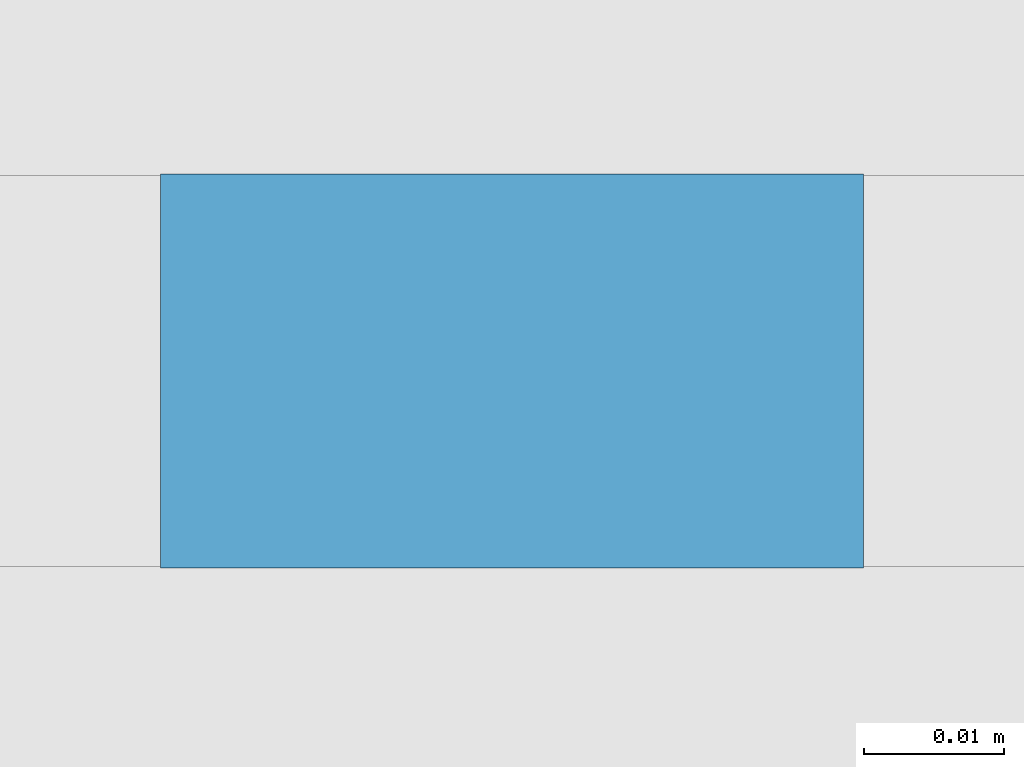
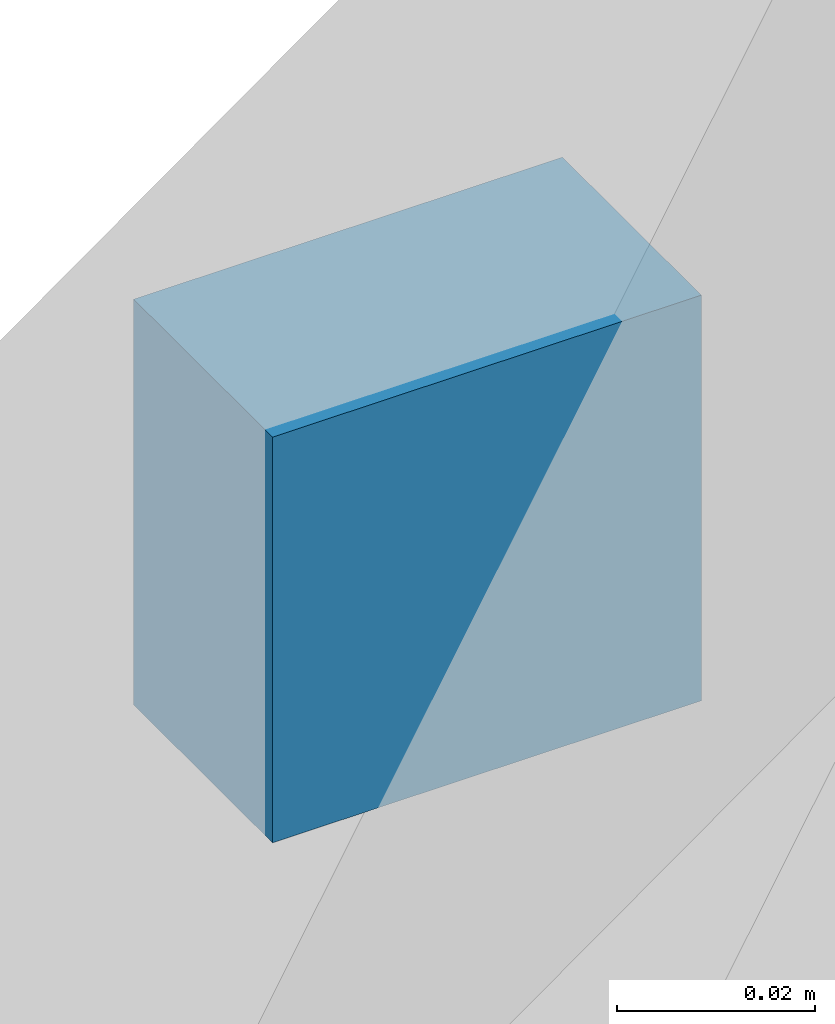
# One storey, part 13 of 15: 1 discrete accessory, 1 element without a shape of its own.
"""IFC4 building model written with IfcOpenShell, lengths in metres."""

import ifcopenshell
import ifcopenshell.guid

model = None  # the IFC model being written
_history = None  # IfcOwnerHistory: only IFC2X3 demands one
_inside = {}  # id of a spatial element -> (the spatial element, [elements in it])
_under = {}  # id of a project, library or spatial element -> (it, [spatial elements below it])
_declared = {}  # id of a project -> (the project, [libraries it declares])
_typed = {}  # id of a type object -> (the type object, [elements of that type])
_made_of = {}  # id of a material, layer set ... -> (it, [elements and type objects made of it])


def new_model(schema):
    """Start an empty IFC model of exactly this schema.

    Asked for "IFC4X3", IfcOpenShell would pick the latest addendum, in which some entities
    have other attributes; the version numbers below select the first issue.
    IFC2X3 requires an IfcOwnerHistory on every rooted entity: one is made here for all.
    """
    global model, _history
    if schema == "IFC4X3":
        model = ifcopenshell.file(schema_version=(4, 3, 0, 0))
    else:
        model = ifcopenshell.file(schema=schema)
    _inside.clear()
    _under.clear()
    _declared.clear()
    _typed.clear()
    _made_of.clear()
    _history = None
    if model.schema == "IFC2X3":
        org = make("IfcOrganization", Name="unknown")
        user = make(
            "IfcPersonAndOrganization",
            ThePerson=make("IfcPerson", FamilyName="unknown"),
            TheOrganization=org,
        )
        app = make(
            "IfcApplication",
            ApplicationDeveloper=org,
            Version="unknown",
            ApplicationFullName="unknown",
            ApplicationIdentifier="unknown",
        )
        _history = make(
            "IfcOwnerHistory",
            OwningUser=user,
            OwningApplication=app,
            ChangeAction="ADDED",
            CreationDate=0,
        )
    return model


def make(cls, **values):
    """One entity of the class cls with the attributes given. An attribute that is None is left unset."""
    return model.create_entity(
        cls, **{name: value for name, value in values.items() if value is not None}
    )


def rooted(cls, **values):
    """An entity with a GlobalId (a new one), such as an element, a storey or a relation."""
    return make(cls, GlobalId=ifcopenshell.guid.new(), OwnerHistory=_history, **values)


def si_unit(unit_type, name, prefix=None):
    """IfcSIUnit, for example si_unit("LENGTHUNIT", "METRE", prefix="MILLI")."""
    return make("IfcSIUnit", UnitType=unit_type, Prefix=prefix, Name=name)


def assignment(units):
    """IfcUnitAssignment: the units of a project."""
    return None if units is None else make("IfcUnitAssignment", Units=units)


def point(xyz):
    """IfcCartesianPoint."""
    return None if xyz is None else make("IfcCartesianPoint", Coordinates=xyz)


def direction(xyz):
    """IfcDirection."""
    return None if xyz is None else make("IfcDirection", DirectionRatios=xyz)


def frame(location, z_axis=None, x_axis=None):
    """IfcAxis2Placement3D, a coordinate frame: its origin and axes. An axis left out is left unset."""
    return make(
        "IfcAxis2Placement3D",
        Location=point(location),
        Axis=direction(z_axis),
        RefDirection=direction(x_axis),
    )


def frame_2d(location, x_axis=None):
    """IfcAxis2Placement2D, a coordinate frame in the plane: its origin and x axis."""
    return make(
        "IfcAxis2Placement2D", Location=point(location), RefDirection=direction(x_axis)
    )


def origin():
    """The frame at (0, 0, 0) with its axes left unset."""
    return frame((0.0, 0.0, 0.0))


def origin_2d():
    """The frame at (0, 0) in the plane with its x axis left unset."""
    return frame_2d((0.0, 0.0))


def place(relative_to, where):
    """IfcLocalPlacement: puts the frame where relative to a parent placement (None: the world)."""
    return make(
        "IfcLocalPlacement", PlacementRelTo=relative_to, RelativePlacement=where
    )


def context(
    kind, dimensions, precision=None, world=None, true_north=None, identifier=None
):
    """IfcGeometricRepresentationContext, for example the 3D "Model" context."""
    return make(
        "IfcGeometricRepresentationContext",
        ContextIdentifier=identifier,
        ContextType=kind,
        CoordinateSpaceDimension=dimensions,
        Precision=precision,
        WorldCoordinateSystem=world,
        TrueNorth=true_north,
    )


def subcontext(parent, identifier, kind, view, scale=None):
    """IfcGeometricRepresentationSubContext, for example "Body" below "Model"."""
    return make(
        "IfcGeometricRepresentationSubContext",
        ContextIdentifier=identifier,
        ContextType=kind,
        ParentContext=parent,
        TargetScale=scale,
        TargetView=view,
    )


def project(units=None, contexts=None):
    """IfcProject with its units and contexts."""
    return rooted(
        "IfcProject",
        Name="project",
        RepresentationContexts=contexts,
        UnitsInContext=assignment(units),
    )


def spatial(cls, under=None, at=None, **own):
    """A site, building, storey or space (cls), placed at a placement, below another one or the project."""
    s = rooted(cls, ObjectPlacement=at, **own)
    if under is not None:
        _under.setdefault(under.id(), (under, []))[1].append(s)
    return s


def profile(cls, at=None, kind="AREA", **sizes):
    """A parametric profile (cls). Its sizes go by their IFC names, for example OverallWidth=200.0."""
    return make(cls, ProfileType=kind, Position=at, **sizes)


def rectangle(**sizes):
    """IfcRectangleProfileDef."""
    return profile("IfcRectangleProfileDef", **sizes)


def extrude(swept, where, along, depth):
    """IfcExtrudedAreaSolid: the profile swept, set in the frame where, extruded along a direction by depth."""
    return make(
        "IfcExtrudedAreaSolid",
        SweptArea=swept,
        Position=where,
        ExtrudedDirection=direction(along),
        Depth=depth,
    )


def shape(context_of_items, identifier, shape_type, items):
    """IfcShapeRepresentation: the items that make up one representation, for example the "Body"."""
    return make(
        "IfcShapeRepresentation",
        ContextOfItems=context_of_items,
        RepresentationIdentifier=identifier,
        RepresentationType=shape_type,
        Items=items,
    )


def material(Name=None, Category=None):
    """IfcMaterial."""
    return make("IfcMaterial", Name=Name, Category=Category)


def made_of(thing, what):
    """Note that an element or type object is made of a material, layer set ...; save() writes the relation."""
    if what is not None:
        _made_of.setdefault(what.id(), (what, []))[1].append(thing)
    return thing


def type_object(cls, material=None, **own):
    """A type object (cls), such as IfcWallType, which elements share."""
    return made_of(rooted(cls, **own), material)


def element(
    cls,
    number,
    at=None,
    inside=None,
    cuts=None,
    type_object=None,
    material=None,
    context=None,
    identifier="Body",
    shape_type=None,
    held_by="IfcProductDefinitionShape",
    body=None,
    shapes=None,
    **own,
):
    """One element of the class cls, such as IfcWall. Its Tag is "e" and its number.

    at: its placement. inside: the storey or other place that contains it. cuts: it is an
    opening in that element (IfcRelVoidsElement). A single representation is given by context,
    identifier, shape_type and body (its items); several are given by shapes. held_by: the class
    of the entity that holds the representations. save() writes the other relations.
    """
    e = rooted(cls, Tag="e%d" % number, ObjectPlacement=at, **own)
    if body is not None:
        shapes = [shape(context, identifier, shape_type, body)]
    if shapes is not None:
        e.Representation = make(held_by, Representations=shapes)
    if inside is not None:
        _inside.setdefault(inside.id(), (inside, []))[1].append(e)
    if cuts is not None:
        rooted(
            "IfcRelVoidsElement", RelatingBuildingElement=cuts, RelatedOpeningElement=e
        )
    if type_object is not None:
        _typed.setdefault(type_object.id(), (type_object, []))[1].append(e)
    return made_of(e, material)


def aggregate(whole, parts):
    """IfcRelAggregates: a whole, such as a stair, and the parts it consists of."""
    return rooted("IfcRelAggregates", RelatingObject=whole, RelatedObjects=parts)


def save(model, path):
    """Write the relations noted so far, then the file.

    IfcRelAggregates (storeys below a building ...), IfcRelContainedInSpatialStructure (elements
    in a storey), IfcRelDefinesByType, IfcRelAssociatesMaterial and IfcRelDeclares: one each for
    every whole, place, type object, material and project.
    """
    for whole, parts in _under.values():
        aggregate(whole, parts)
    for where, things in _inside.values():
        rooted(
            "IfcRelContainedInSpatialStructure",
            RelatedElements=things,
            RelatingStructure=where,
        )
    for kind, things in _typed.values():
        rooted("IfcRelDefinesByType", RelatedObjects=things, RelatingType=kind)
    for what, things in _made_of.values():
        rooted("IfcRelAssociatesMaterial", RelatedObjects=things, RelatingMaterial=what)
    for by, libraries in _declared.values():
        rooted("IfcRelDeclares", RelatingContext=by, RelatedDefinitions=libraries)
    model.write(path)


model = new_model("IFC4")

# Units and contexts
model_context = context("Model", 3, precision=1e-05, world=origin(), true_north=direction((0.0, 1.0)))
body_context = subcontext(model_context, "Body", "Model", "MODEL_VIEW")
ifc_project = project(units=[si_unit("LENGTHUNIT", "METRE"), si_unit("AREAUNIT", "SQUARE_METRE"), si_unit("VOLUMEUNIT", "CUBIC_METRE"), si_unit("PLANEANGLEUNIT", "RADIAN"), si_unit("MASSUNIT", "GRAM", prefix="KILO")], contexts=[model_context])

# Site, building, storey
site_placement = place(None, origin())
site = spatial("IfcSite", under=ifc_project, at=site_placement, CompositionType="ELEMENT")
building_placement = place(site_placement, origin())
building = spatial("IfcBuilding", under=site, at=building_placement, Name="Tessera Arch", CompositionType="ELEMENT")
storey_placement = place(building_placement, frame((0.0, 0.0, 285.199951171875)))
storey = spatial("IfcBuildingStorey", under=building, at=storey_placement, Name="L69", CompositionType="ELEMENT", Elevation=285.199951171875)

# Curtain wall, discrete accessory
ifc_material = material(Name="CW3 curtain wall")
curtain_wall_type = type_object("IfcCurtainWallType", Name="CW3 curtain wall", PredefinedType="NOTDEFINED", material=ifc_material)
curtain_wall_placement = place(storey_placement, origin())
curtain_wall = element("IfcCurtainWall", 1, at=curtain_wall_placement, inside=storey, type_object=curtain_wall_type, Name="CW3 curtain wall N54.18/1 L69", PredefinedType="NOTDEFINED")
discrete_accessory_placement = place(storey_placement, frame((40.033203125, 54.0439453125, 0.794921875), z_axis=(0.0, 0.0, 1.0), x_axis=(-1.0, 0.0, 0.0)))
discrete_accessory = element("IfcDiscreteAccessory", 2, at=discrete_accessory_placement, Name="Glazing bracket", PredefinedType="BRACKET", context=body_context, shape_type="SweptSolid", body=[
    extrude(rectangle(XDim=0.050048828125, YDim=0.028076171875, at=origin_2d()), origin(), (0.0, 0.0, 1.0), 0.050048828125),
])
aggregate(curtain_wall, [discrete_accessory])

save(model, "model.ifc")
